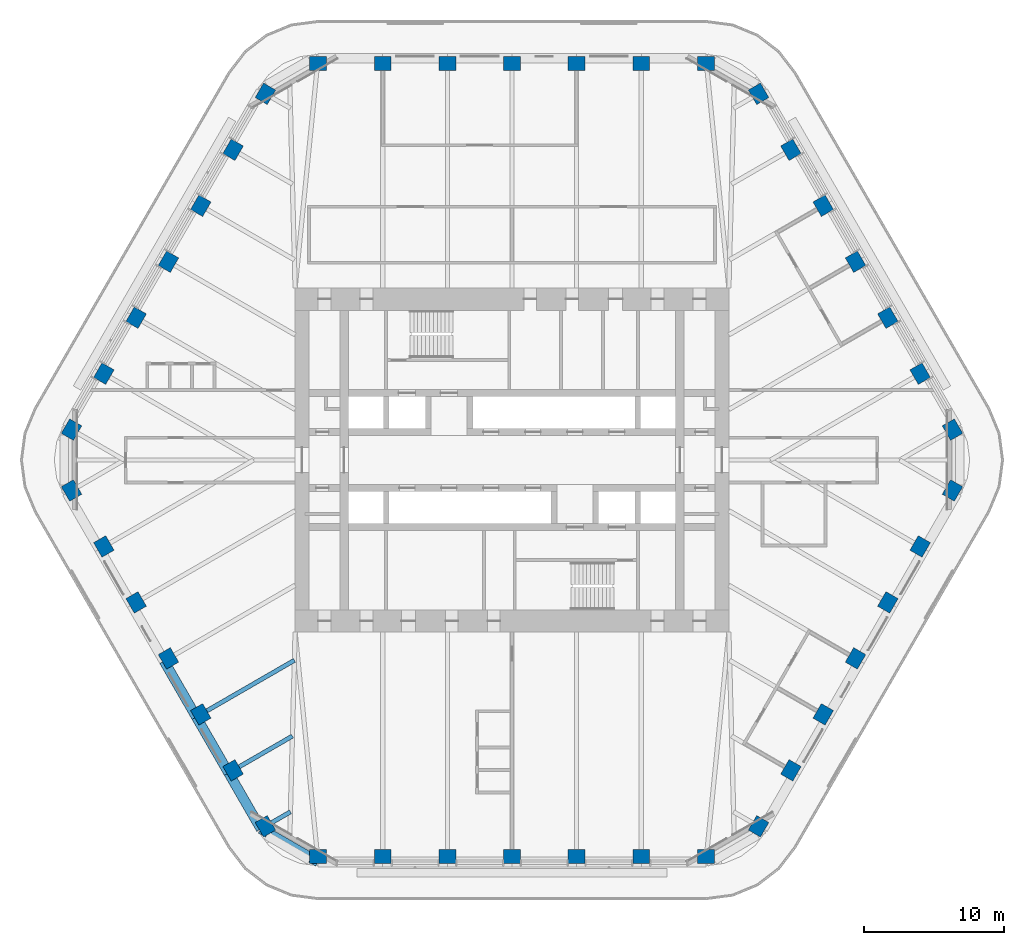
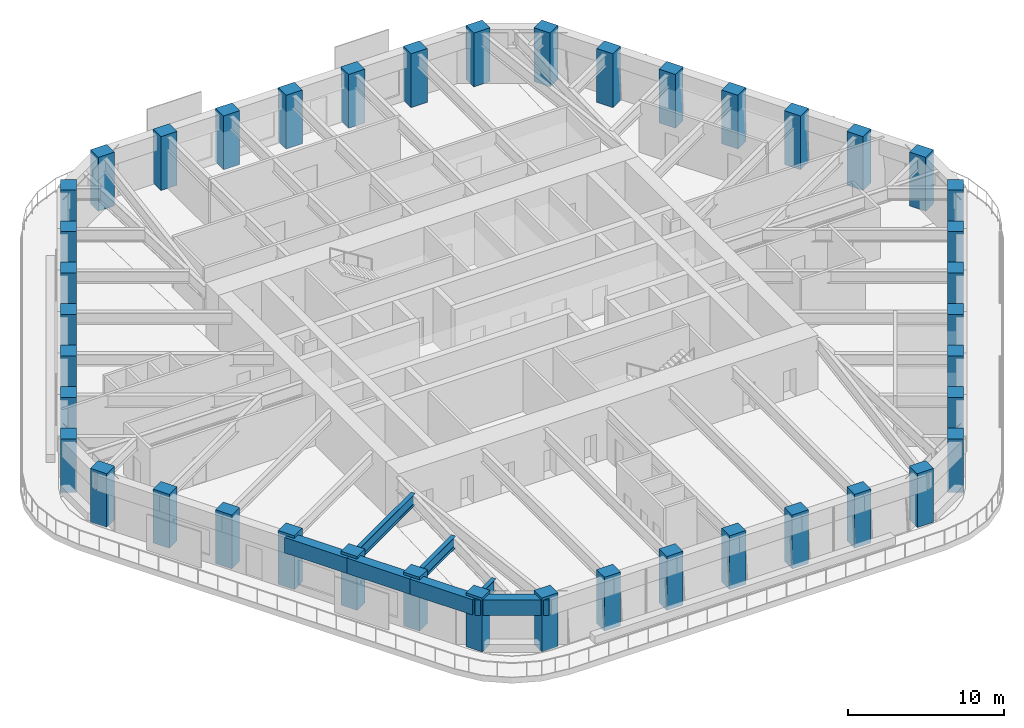
# One storey, part 1 of 20: 42 columns, 7 beams.
"""IFC4 building model written with IfcOpenShell, lengths in metres."""

from ifc_helpers import new_model, si_unit, direction, frame, origin, origin_2d, place, context, subcontext, project, spatial, rectangle, i_section, extrude, material, material_profile, profile_set, type_object, element, save


model = new_model("IFC4")

# Units and contexts
model_context = context("Model", 3, precision=1e-05, world=origin(), true_north=direction((0.0, 1.0)))
body_context = subcontext(model_context, "Body", "Model", "MODEL_VIEW")
ifc_project = project(units=[si_unit("LENGTHUNIT", "METRE"), si_unit("AREAUNIT", "SQUARE_METRE"), si_unit("VOLUMEUNIT", "CUBIC_METRE"), si_unit("PLANEANGLEUNIT", "RADIAN"), si_unit("MASSUNIT", "GRAM", prefix="KILO")], contexts=[model_context])

# Site, building, storey
site_placement = place(None, origin())
site = spatial("IfcSite", under=ifc_project, at=site_placement, CompositionType="ELEMENT")
building_placement = place(site_placement, origin())
building = spatial("IfcBuilding", under=site, at=building_placement, Name="Tarfa Lantern Tower", CompositionType="ELEMENT")
storey_placement = place(building_placement, frame((0.0, 0.0, 274.300048828125)))
storey = spatial("IfcBuildingStorey", under=building, at=storey_placement, Name="L62", CompositionType="ELEMENT", Elevation=274.300048828125)

# Columns
ifc_material_1 = material(Name="Concrete C80/95", Category="concrete")
ifc_material_profile_1 = material_profile(ifc_material_1, rectangle(XDim=1.199951171875, YDim=1.0, at=origin_2d()), Name="RC 1200x1000")
ifc_profile_set_1 = profile_set([ifc_material_profile_1], Name="Concrete C80/95")
column_type = type_object("IfcColumnType", Name="TC11 RC 1200x1000", PredefinedType="COLUMN", material=ifc_profile_set_1)
for number, where, z_axis, x_axis, name in (
    (1, (31.47998046875, 2.175048828125, 0.0), (0.0, 0.0, 1.0), (-0.5, 0.866025403784, 0.0), "Tube column NE0"),
    (2, (29.170654296875, 6.175048828125, 0.0), (0.0, 0.0, 1.0), (-0.5, 0.866025403784, 0.0), "Tube column NE1"),
    (3, (26.861328125, 10.175048828125, 0.0), (0.0, 0.0, 1.0), (-0.5, 0.866025403784, 0.0), "Tube column NE2"),
    (4, (24.5517578125, 14.175048828125, 0.0), (0.0, 0.0, 1.0), (-0.5, 0.866025403784, 0.0), "Tube column NE3"),
    (5, (22.242431640625, 18.175048828125, 0.0), (0.0, 0.0, 1.0), (-0.5, 0.866025403784, 0.0), "Tube column NE4"),
    (6, (19.93310546875, 22.175048828125, 0.0), (0.0, 0.0, 1.0), (-0.5, 0.866025403784, 0.0), "Tube column NE5"),
    (7, (17.62353515625, 26.175048828125, 0.0), (0.0, 0.0, 1.0), (-0.5, 0.866025403784, 0.0), "Tube column NE6"),
    (8, (13.8564453125, 28.35009765625, 0.0), (0.0, 0.0, 1.0), (-1.0, 0.0, 0.0), "Tube column N0"),
    (9, (9.237548828125, 28.35009765625, 0.0), (0.0, 0.0, 1.0), (-1.0, 0.0, 0.0), "Tube column N1"),
    (10, (4.618896484375, 28.35009765625, 0.0), (0.0, 0.0, 1.0), (-1.0, 0.0, 0.0), "Tube column N2"),
    (11, (0.0, 28.35009765625, 0.0), (0.0, 0.0, 1.0), (-1.0, 0.0, 0.0), "Tube column N3"),
    (12, (-4.618896484375, 28.35009765625, 0.0), (0.0, 0.0, 1.0), (-1.0, 0.0, 0.0), "Tube column N4"),
    (13, (-9.237548828125, 28.35009765625, 0.0), (0.0, 0.0, 1.0), (-1.0, 0.0, 0.0), "Tube column N5"),
    (14, (-13.8564453125, 28.35009765625, 0.0), (0.0, 0.0, 1.0), (-1.0, 0.0, 0.0), "Tube column N6"),
    (15, (-17.62353515625, 26.175048828125, 0.0), (0.0, 0.0, 1.0), (-0.5, -0.866025403784, 0.0), "Tube column NW0"),
    (16, (-19.93310546875, 22.175048828125, 0.0), (0.0, 0.0, 1.0), (-0.5, -0.866025403784, 0.0), "Tube column NW1"),
    (17, (-22.242431640625, 18.175048828125, 0.0), (0.0, 0.0, 1.0), (-0.5, -0.866025403784, 0.0), "Tube column NW2"),
    (18, (-24.5517578125, 14.175048828125, 0.0), (0.0, 0.0, 1.0), (-0.5, -0.866025403784, 0.0), "Tube column NW3"),
    (19, (-26.861328125, 10.175048828125, 0.0), (0.0, 0.0, 1.0), (-0.5, -0.866025403784, 0.0), "Tube column NW4"),
    (20, (-29.170654296875, 6.175048828125, 0.0), (0.0, 0.0, 1.0), (-0.5, -0.866025403784, 0.0), "Tube column NW5"),
    (21, (-31.47998046875, 2.175048828125, 0.0), (0.0, 0.0, 1.0), (-0.5, -0.866025403784, 0.0), "Tube column NW6"),
    (22, (-31.47998046875, -2.175048828125, 0.0), (0.0, 0.0, 1.0), (0.5, -0.866025403784, 0.0), "Tube column SW0"),
    (23, (-29.170654296875, -6.175048828125, 0.0), (0.0, 0.0, 1.0), (0.5, -0.866025403784, 0.0), "Tube column SW1"),
    (24, (-26.861328125, -10.175048828125, 0.0), (0.0, 0.0, 1.0), (0.5, -0.866025403784, 0.0), "Tube column SW2"),
    (25, (-24.5517578125, -14.175048828125, 0.0), (0.0, 0.0, 1.0), (0.5, -0.866025403784, 0.0), "Tube column SW3"),
    (26, (-22.242431640625, -18.175048828125, 0.0), (0.0, 0.0, 1.0), (0.5, -0.866025403784, 0.0), "Tube column SW4"),
    (27, (-19.93310546875, -22.175048828125, 0.0), (0.0, 0.0, 1.0), (0.5, -0.866025403784, 0.0), "Tube column SW5"),
    (28, (-17.62353515625, -26.175048828125, 0.0), (0.0, 0.0, 1.0), (0.5, -0.866025403784, 0.0), "Tube column SW6"),
    (29, (-13.8564453125, -28.35009765625, 0.0), (0.0, 0.0, 1.0), (1.0, 0.0, 0.0), "Tube column S0"),
    (30, (-9.237548828125, -28.35009765625, 0.0), (0.0, 0.0, 1.0), (1.0, 0.0, 0.0), "Tube column S1"),
    (31, (-4.618896484375, -28.35009765625, 0.0), (0.0, 0.0, 1.0), (1.0, 0.0, 0.0), "Tube column S2"),
    (32, (0.0, -28.35009765625, 0.0), (0.0, 0.0, 1.0), (1.0, 0.0, 0.0), "Tube column S3"),
    (33, (4.618896484375, -28.35009765625, 0.0), (0.0, 0.0, 1.0), (1.0, 0.0, 0.0), "Tube column S4"),
    (34, (9.237548828125, -28.35009765625, 0.0), (0.0, 0.0, 1.0), (1.0, 0.0, 0.0), "Tube column S5"),
    (35, (13.8564453125, -28.35009765625, 0.0), (0.0, 0.0, 1.0), (1.0, 0.0, 0.0), "Tube column S6"),
    (36, (17.62353515625, -26.175048828125, 0.0), (0.0, 0.0, 1.0), (0.5, 0.866025403784, 0.0), "Tube column SE0"),
    (37, (19.93310546875, -22.175048828125, 0.0), (0.0, 0.0, 1.0), (0.5, 0.866025403784, 0.0), "Tube column SE1"),
    (38, (22.242431640625, -18.175048828125, 0.0), (0.0, 0.0, 1.0), (0.5, 0.866025403784, 0.0), "Tube column SE2"),
    (39, (24.5517578125, -14.175048828125, 0.0), (0.0, 0.0, 1.0), (0.5, 0.866025403784, 0.0), "Tube column SE3"),
    (40, (26.861328125, -10.175048828125, 0.0), (0.0, 0.0, 1.0), (0.5, 0.866025403784, 0.0), "Tube column SE4"),
    (41, (29.170654296875, -6.175048828125, 0.0), (0.0, 0.0, 1.0), (0.5, 0.866025403784, 0.0), "Tube column SE5"),
    (42, (31.47998046875, -2.175048828125, 0.0), (0.0, 0.0, 1.0), (0.5, 0.866025403784, 0.0), "Tube column SE6"),
):
    element("IfcColumn", number, at=place(storey_placement, frame(where, z_axis=z_axis, x_axis=x_axis)), inside=storey, type_object=column_type, Name=name, PredefinedType="COLUMN", context=body_context, shape_type="SweptSolid", body=[
        extrude(rectangle(XDim=1.199951171875, YDim=1.0, at=origin_2d()), origin(), (0.0, 0.0, 1.0), 4.199951171875),
    ])

# Beams
ifc_material_profile_2 = material_profile(ifc_material_1, rectangle(XDim=0.699951171875, YDim=1.199951171875, at=origin_2d()), Name="RC 700x1200")
ifc_profile_set_2 = profile_set([ifc_material_profile_2], Name="Concrete C80/95")
beam_type_1 = type_object("IfcBeamType", Name="EB3 RC 700x1200", PredefinedType="SPANDREL", material=ifc_profile_set_2)
beam_1_placement = place(storey_placement, frame((-24.872314453125, -14.360107421875, 3.39990234375), z_axis=(0.500027479704, -0.866009537788, 0.0), x_axis=(0.866009537788, 0.500027479704, 0.0)))
element("IfcBeam", 43, at=beam_1_placement, inside=storey, type_object=beam_type_1, Name="Edge beam SW3", PredefinedType="SPANDREL", context=body_context, shape_type="SweptSolid", body=[
    extrude(rectangle(XDim=0.699951171875, YDim=1.199951171875, at=origin_2d()), origin(), (0.0, 0.0, 1.0), 4.618896484375),
])
for number, where, z_axis, x_axis, name in (
    (44, (-22.562744140625, -18.360107421875, 3.39990234375), (0.499987836815, -0.866032426089, 0.0), (0.866032426089, 0.499987836815, 0.0), "Edge beam SW4"),
    (45, (-20.25341796875, -22.360107421875, 3.39990234375), (0.499987836815, -0.866032426089, 0.0), (0.866032426089, 0.499987836815, 0.0), "Edge beam SW5"),
):
    element("IfcBeam", number, at=place(storey_placement, frame(where, z_axis=z_axis, x_axis=x_axis)), inside=storey, type_object=beam_type_1, Name=name, PredefinedType="SPANDREL", context=body_context, shape_type="SweptSolid", body=[
        extrude(rectangle(XDim=0.699951171875, YDim=1.199951171875, at=origin_2d()), origin(), (0.0, 0.0, 1.0), 4.61865234375),
    ])
beam_2_placement = place(storey_placement, frame((-17.944091796875, -26.360107421875, 3.39990234375), z_axis=(0.866038294681, -0.499977671647, 0.0), x_axis=(0.499977671647, 0.866038294681, 0.0)))
element("IfcBeam", 46, at=beam_2_placement, inside=storey, type_object=beam_type_1, Name="Edge beam SW6", PredefinedType="SPANDREL", context=body_context, shape_type="SweptSolid", body=[
    extrude(rectangle(XDim=0.699951171875, YDim=1.199951171875, at=origin_2d()), origin(), (0.0, 0.0, 1.0), 4.719970703125),
])
ifc_material_2 = material(Name="Steel S460M", Category="steel")
ifc_material_profile_3 = material_profile(ifc_material_2, i_section(OverallWidth=0.305419921875, OverallDepth=0.91845703125, WebThickness=0.017333984375, FlangeThickness=0.02783203125, FilletRadius=0.01904296875, at=origin_2d()), Name="UB914x305x253")
ifc_profile_set_3 = profile_set([ifc_material_profile_3], Name="Steel S460M")
beam_type_2 = type_object("IfcBeamType", Name="UB914x305x253", PredefinedType="BEAM", material=ifc_profile_set_3)
beam_3_placement = place(storey_placement, frame((-22.562744140625, -18.360107421875, 3.540771484375), z_axis=(0.866010787764, 0.500025314835, 0.0), x_axis=(-0.500025314835, 0.866010787764, 0.0)))
element("IfcBeam", 47, at=beam_3_placement, inside=storey, type_object=beam_type_2, Name="Floor beam SW4", PredefinedType="BEAM", context=body_context, shape_type="SweptSolid", body=[
    extrude(i_section(OverallWidth=0.305419921875, OverallDepth=0.91845703125, WebThickness=0.017333984375, FlangeThickness=0.02783203125, FilletRadius=0.01904296875, at=origin_2d()), origin(), (0.0, 0.0, 1.0), 8.09423828125),
])
beam_4_placement = place(storey_placement, frame((-20.25341796875, -22.360107421875, 3.540771484375), z_axis=(0.86601951648, 0.500010196972, 0.0), x_axis=(-0.500010196972, 0.86601951648, 0.0)))
element("IfcBeam", 48, at=beam_4_placement, inside=storey, type_object=beam_type_2, Name="Floor beam SW5", PredefinedType="BEAM", context=body_context, shape_type="SweptSolid", body=[
    extrude(i_section(OverallWidth=0.305419921875, OverallDepth=0.91845703125, WebThickness=0.017333984375, FlangeThickness=0.02783203125, FilletRadius=0.01904296875, at=origin_2d()), origin(), (0.0, 0.0, 1.0), 5.263671875),
])
beam_5_placement = place(storey_placement, frame((-17.944091796875, -26.360107421875, 3.540771484375), z_axis=(0.865980009423, 0.5000786171, 0.0), x_axis=(-0.5000786171, 0.865980009423, 0.0)))
element("IfcBeam", 49, at=beam_5_placement, inside=storey, type_object=beam_type_2, Name="Floor beam SW6", PredefinedType="BEAM", context=body_context, shape_type="SweptSolid", body=[
    extrude(i_section(OverallWidth=0.305419921875, OverallDepth=0.91845703125, WebThickness=0.017333984375, FlangeThickness=0.02783203125, FilletRadius=0.01904296875, at=origin_2d()), origin(), (0.0, 0.0, 1.0), 2.4326171875),
])

save(model, "model.ifc")
